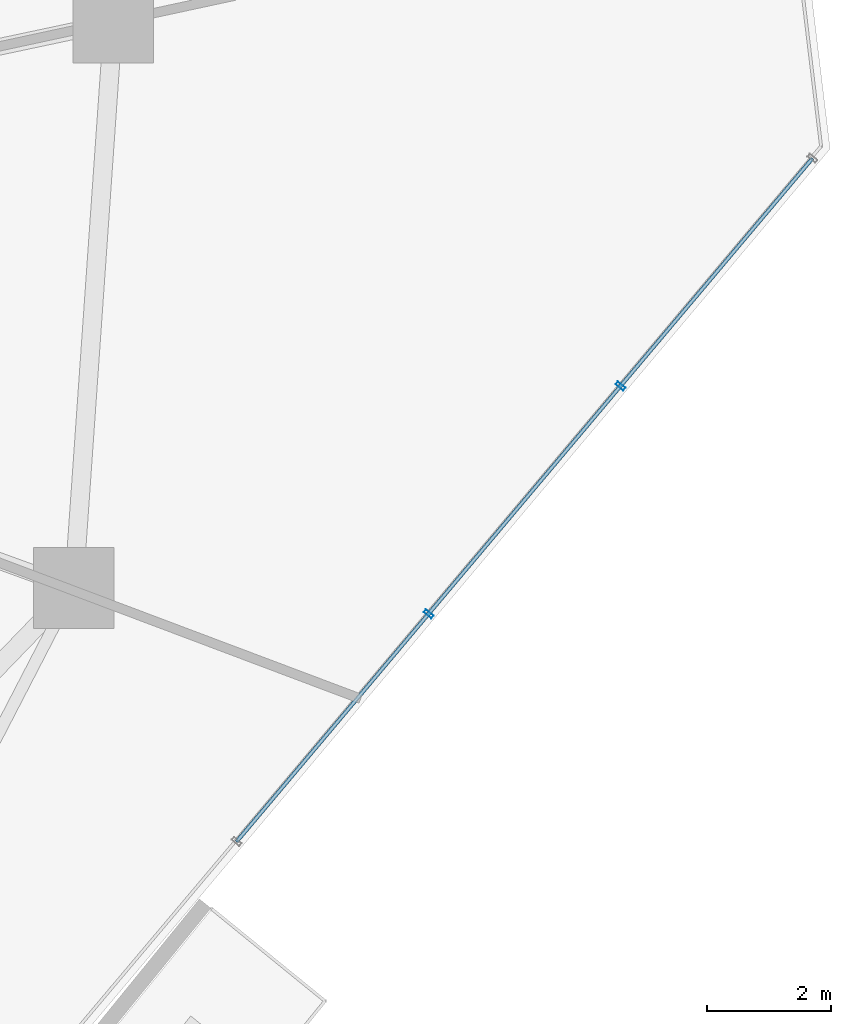
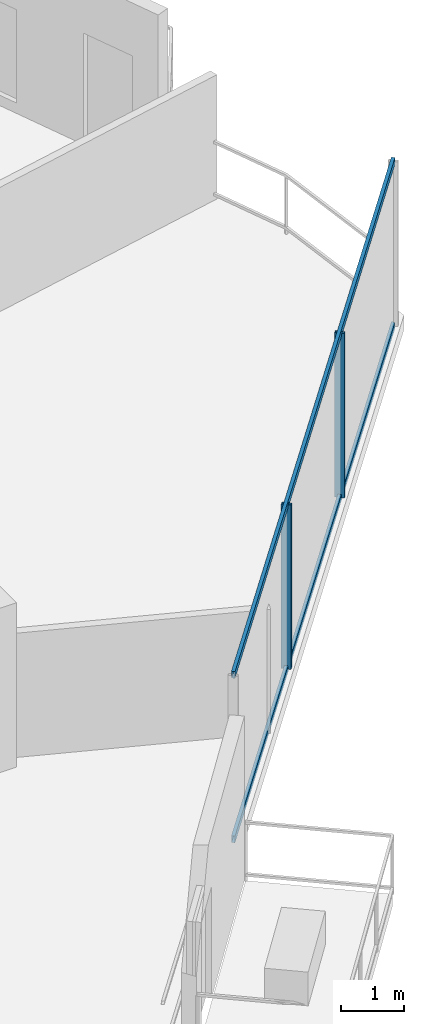
# One storey, part 12 of 31: 4 members, 1 element without a shape of its own.
"""IFC4 building model written with IfcOpenShell, lengths in metres."""

from ifc_helpers import new_model, si_unit, direction, frame, origin, origin_2d, place, context, subcontext, project, spatial, hollow_rectangle, extrude, material, layer, layer_set, material_profile, profile_set, type_object, element, aggregate, save


model = new_model("IFC4")

# Units and contexts
model_context = context("Model", 3, precision=1e-05, world=origin(), true_north=direction((0.0, 1.0)))
body_context = subcontext(model_context, "Body", "Model", "MODEL_VIEW")
ifc_project = project(units=[si_unit("LENGTHUNIT", "METRE"), si_unit("AREAUNIT", "SQUARE_METRE"), si_unit("VOLUMEUNIT", "CUBIC_METRE"), si_unit("PLANEANGLEUNIT", "RADIAN"), si_unit("MASSUNIT", "GRAM", prefix="KILO")], contexts=[model_context])

# Site, building, storey
site_placement = place(None, origin())
site = spatial("IfcSite", under=ifc_project, at=site_placement, CompositionType="ELEMENT")
building_placement = place(site_placement, origin())
building = spatial("IfcBuilding", under=site, at=building_placement, Name="Qarnah Convention Tower", CompositionType="ELEMENT")
storey_placement = place(building_placement, frame((0.0, 0.0, 33.89990234375)))
storey = spatial("IfcBuildingStorey", under=building, at=storey_placement, Name="L07", CompositionType="ELEMENT", Elevation=33.89990234375)

# Curtain wall, members
ifc_material_1 = material(Name="Tempered Low-E dark glass", Category="glass")
ifc_layer = layer(ifc_material_1, 0.16796875)
ifc_layer_set = layer_set([ifc_layer], Name="Tempered Low-E dark glass")
curtain_wall_type = type_object("IfcCurtainWallType", Name="CWS-01", PredefinedType="NOTDEFINED", material=ifc_layer_set)
curtain_wall_placement = place(storey_placement, origin())
curtain_wall = element("IfcCurtainWall", 1, at=curtain_wall_placement, inside=storey, type_object=curtain_wall_type, Name="L07 unitised curtain wall CW-L07-F3", PredefinedType="NOTDEFINED")
ifc_material_2 = material(Name="Black anodised aluminium", Category="aluminium")
ifc_material_profile_1 = material_profile(ifc_material_2, hollow_rectangle(XDim=0.06005859375, YDim=0.159912109375, WallThickness=0.00390625, at=origin_2d()), Name="MUL-60X160")
ifc_profile_set_1 = profile_set([ifc_material_profile_1], Name="Black anodised aluminium")
member_type_1 = type_object("IfcMemberType", Name="MUL-T1", PredefinedType="MULLION", material=ifc_profile_set_1)
member_1_placement = place(storey_placement, frame((61.552734375, 23.989990234375, 0.0), z_axis=(0.0, 0.0, 1.0), x_axis=(-0.644401208836, -0.764687571529, 0.0)))
member_1 = element("IfcMember", 2, at=member_1_placement, type_object=member_type_1, Name="CW-L07-F3 mullion 2", PredefinedType="MULLION", context=body_context, shape_type="SweptSolid", body=[
    extrude(hollow_rectangle(XDim=0.06005859375, YDim=0.159912109375, WallThickness=0.00390625, at=origin_2d()), origin(), (0.0, 0.0, 1.0), 3.170166015625),
])
member_2_placement = place(storey_placement, frame((58.46337890625, 20.323974609375, 0.0), z_axis=(0.0, 0.0, 1.0), x_axis=(-0.644401208836, -0.764687571529, 0.0)))
member_2 = element("IfcMember", 3, at=member_2_placement, type_object=member_type_1, Name="CW-L07-F3 mullion 3", PredefinedType="MULLION", context=body_context, shape_type="SweptSolid", body=[
    extrude(hollow_rectangle(XDim=0.06005859375, YDim=0.159912109375, WallThickness=0.00390625, at=origin_2d()), origin(), (0.0, 0.0, 1.0), 3.170166015625),
])
ifc_material_profile_2 = material_profile(ifc_material_2, hollow_rectangle(XDim=0.06005859375, YDim=0.1298828125, WallThickness=0.00390625, at=origin_2d()), Name="TRN-60X130")
ifc_profile_set_2 = profile_set([ifc_material_profile_2], Name="Black anodised aluminium")
member_type_2 = type_object("IfcMemberType", Name="TRN-T1", PredefinedType="USERDEFINED", material=ifc_profile_set_2)
member_3_placement = place(storey_placement, frame((64.64208984375, 27.656005859375, 0.0), z_axis=(-0.644402298352, -0.764686653394, 0.0), x_axis=(0.764686653394, -0.644402298352, 0.0)))
member_3 = element("IfcMember", 4, at=member_3_placement, type_object=member_type_2, Name="CW-L07-F3 transom 1", ObjectType="TRANSOM", PredefinedType="USERDEFINED", context=body_context, shape_type="SweptSolid", body=[
    extrude(hollow_rectangle(XDim=0.06005859375, YDim=0.1298828125, WallThickness=0.00390625, at=origin_2d()), origin(), (0.0, 0.0, 1.0), 14.38232421875),
])
member_4_placement = place(storey_placement, frame((64.64208984375, 27.656005859375, 3.170166015625), z_axis=(-0.644402298352, -0.764686653394, 0.0), x_axis=(0.764686653394, -0.644402298352, 0.0)))
member_4 = element("IfcMember", 5, at=member_4_placement, type_object=member_type_2, Name="CW-L07-F3 transom 2", ObjectType="TRANSOM", PredefinedType="USERDEFINED", context=body_context, shape_type="SweptSolid", body=[
    extrude(hollow_rectangle(XDim=0.06005859375, YDim=0.1298828125, WallThickness=0.00390625, at=origin_2d()), origin(), (0.0, 0.0, 1.0), 14.38232421875),
])
aggregate(curtain_wall, [member_1, member_2, member_3, member_4])

save(model, "model.ifc")
